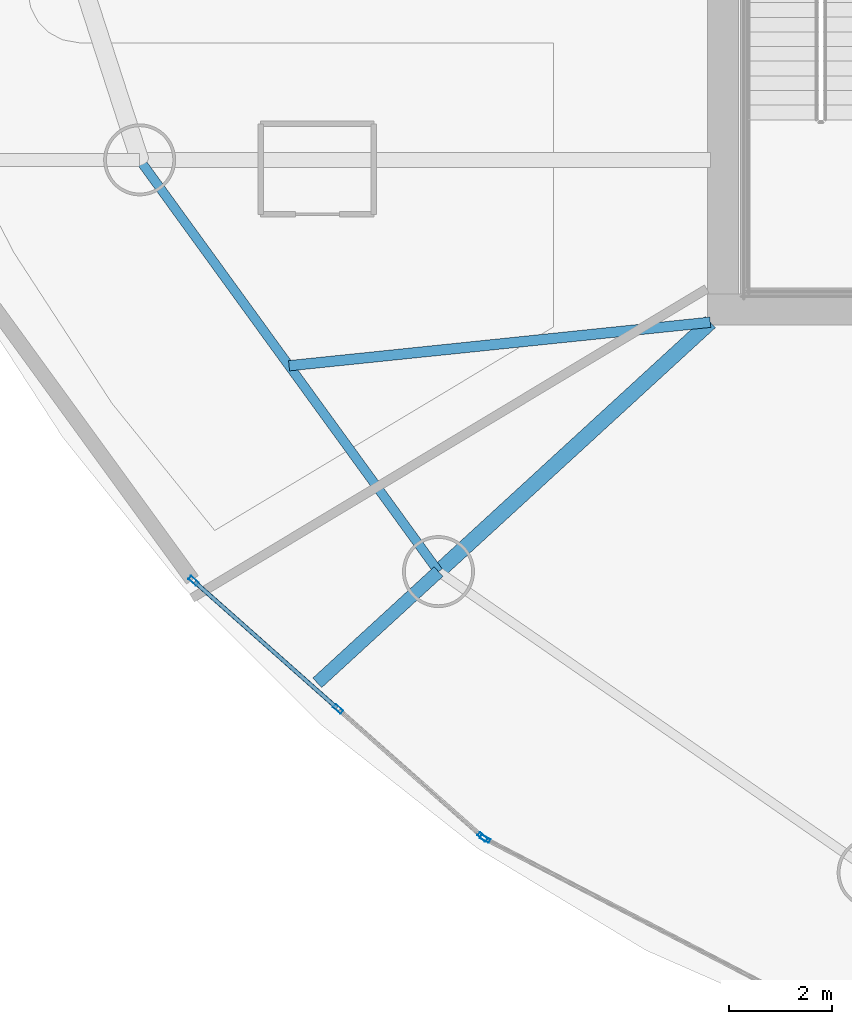
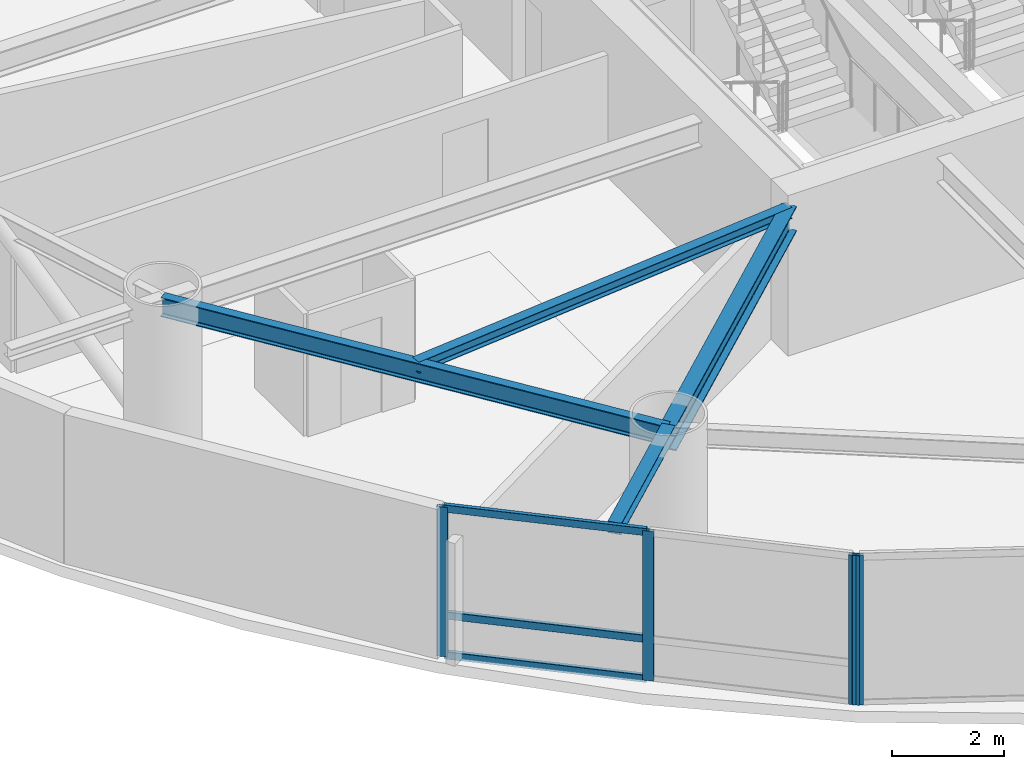
# One storey, part 2 of 20: 7 members, 4 beams, 2 elements without a shape of their own.
"""IFC4 building model written with IfcOpenShell, lengths in metres."""

import ifcopenshell
import ifcopenshell.guid

model = None  # the IFC model being written
_history = None  # IfcOwnerHistory: only IFC2X3 demands one
_inside = {}  # id of a spatial element -> (the spatial element, [elements in it])
_under = {}  # id of a project, library or spatial element -> (it, [spatial elements below it])
_declared = {}  # id of a project -> (the project, [libraries it declares])
_typed = {}  # id of a type object -> (the type object, [elements of that type])
_made_of = {}  # id of a material, layer set ... -> (it, [elements and type objects made of it])


def new_model(schema):
    """Start an empty IFC model of exactly this schema.

    Asked for "IFC4X3", IfcOpenShell would pick the latest addendum, in which some entities
    have other attributes; the version numbers below select the first issue.
    IFC2X3 requires an IfcOwnerHistory on every rooted entity: one is made here for all.
    """
    global model, _history
    if schema == "IFC4X3":
        model = ifcopenshell.file(schema_version=(4, 3, 0, 0))
    else:
        model = ifcopenshell.file(schema=schema)
    _inside.clear()
    _under.clear()
    _declared.clear()
    _typed.clear()
    _made_of.clear()
    _history = None
    if model.schema == "IFC2X3":
        org = make("IfcOrganization", Name="unknown")
        user = make(
            "IfcPersonAndOrganization",
            ThePerson=make("IfcPerson", FamilyName="unknown"),
            TheOrganization=org,
        )
        app = make(
            "IfcApplication",
            ApplicationDeveloper=org,
            Version="unknown",
            ApplicationFullName="unknown",
            ApplicationIdentifier="unknown",
        )
        _history = make(
            "IfcOwnerHistory",
            OwningUser=user,
            OwningApplication=app,
            ChangeAction="ADDED",
            CreationDate=0,
        )
    return model


def make(cls, **values):
    """One entity of the class cls with the attributes given. An attribute that is None is left unset."""
    return model.create_entity(
        cls, **{name: value for name, value in values.items() if value is not None}
    )


def rooted(cls, **values):
    """An entity with a GlobalId (a new one), such as an element, a storey or a relation."""
    return make(cls, GlobalId=ifcopenshell.guid.new(), OwnerHistory=_history, **values)


def si_unit(unit_type, name, prefix=None):
    """IfcSIUnit, for example si_unit("LENGTHUNIT", "METRE", prefix="MILLI")."""
    return make("IfcSIUnit", UnitType=unit_type, Prefix=prefix, Name=name)


def assignment(units):
    """IfcUnitAssignment: the units of a project."""
    return None if units is None else make("IfcUnitAssignment", Units=units)


def point(xyz):
    """IfcCartesianPoint."""
    return None if xyz is None else make("IfcCartesianPoint", Coordinates=xyz)


def direction(xyz):
    """IfcDirection."""
    return None if xyz is None else make("IfcDirection", DirectionRatios=xyz)


def frame(location, z_axis=None, x_axis=None):
    """IfcAxis2Placement3D, a coordinate frame: its origin and axes. An axis left out is left unset."""
    return make(
        "IfcAxis2Placement3D",
        Location=point(location),
        Axis=direction(z_axis),
        RefDirection=direction(x_axis),
    )


def frame_2d(location, x_axis=None):
    """IfcAxis2Placement2D, a coordinate frame in the plane: its origin and x axis."""
    return make(
        "IfcAxis2Placement2D", Location=point(location), RefDirection=direction(x_axis)
    )


def origin():
    """The frame at (0, 0, 0) with its axes left unset."""
    return frame((0.0, 0.0, 0.0))


def origin_2d():
    """The frame at (0, 0) in the plane with its x axis left unset."""
    return frame_2d((0.0, 0.0))


def place(relative_to, where):
    """IfcLocalPlacement: puts the frame where relative to a parent placement (None: the world)."""
    return make(
        "IfcLocalPlacement", PlacementRelTo=relative_to, RelativePlacement=where
    )


def context(
    kind, dimensions, precision=None, world=None, true_north=None, identifier=None
):
    """IfcGeometricRepresentationContext, for example the 3D "Model" context."""
    return make(
        "IfcGeometricRepresentationContext",
        ContextIdentifier=identifier,
        ContextType=kind,
        CoordinateSpaceDimension=dimensions,
        Precision=precision,
        WorldCoordinateSystem=world,
        TrueNorth=true_north,
    )


def subcontext(parent, identifier, kind, view, scale=None):
    """IfcGeometricRepresentationSubContext, for example "Body" below "Model"."""
    return make(
        "IfcGeometricRepresentationSubContext",
        ContextIdentifier=identifier,
        ContextType=kind,
        ParentContext=parent,
        TargetScale=scale,
        TargetView=view,
    )


def project(units=None, contexts=None):
    """IfcProject with its units and contexts."""
    return rooted(
        "IfcProject",
        Name="project",
        RepresentationContexts=contexts,
        UnitsInContext=assignment(units),
    )


def spatial(cls, under=None, at=None, **own):
    """A site, building, storey or space (cls), placed at a placement, below another one or the project."""
    s = rooted(cls, ObjectPlacement=at, **own)
    if under is not None:
        _under.setdefault(under.id(), (under, []))[1].append(s)
    return s


def profile(cls, at=None, kind="AREA", **sizes):
    """A parametric profile (cls). Its sizes go by their IFC names, for example OverallWidth=200.0."""
    return make(cls, ProfileType=kind, Position=at, **sizes)


def hollow_rectangle(**sizes):
    """IfcRectangleHollowProfileDef."""
    return profile("IfcRectangleHollowProfileDef", **sizes)


def i_section(**sizes):
    """IfcIShapeProfileDef."""
    return profile("IfcIShapeProfileDef", **sizes)


def extrude(swept, where, along, depth):
    """IfcExtrudedAreaSolid: the profile swept, set in the frame where, extruded along a direction by depth."""
    return make(
        "IfcExtrudedAreaSolid",
        SweptArea=swept,
        Position=where,
        ExtrudedDirection=direction(along),
        Depth=depth,
    )


def shape(context_of_items, identifier, shape_type, items):
    """IfcShapeRepresentation: the items that make up one representation, for example the "Body"."""
    return make(
        "IfcShapeRepresentation",
        ContextOfItems=context_of_items,
        RepresentationIdentifier=identifier,
        RepresentationType=shape_type,
        Items=items,
    )


def material(Name=None, Category=None):
    """IfcMaterial."""
    return make("IfcMaterial", Name=Name, Category=Category)


def layer(
    of_material, thickness, ventilated=None, Name=None, Category=None, Priority=None
):
    """IfcMaterialLayer: one layer of a wall or slab, of a material (None: an air gap)."""
    return make(
        "IfcMaterialLayer",
        Material=of_material,
        LayerThickness=thickness,
        IsVentilated=ventilated,
        Name=Name,
        Category=Category,
        Priority=Priority,
    )


def layer_set(layers, Name=None):
    """IfcMaterialLayerSet."""
    return make("IfcMaterialLayerSet", MaterialLayers=layers, LayerSetName=Name)


def material_profile(
    of_material, cross_section, Name=None, Category=None, Priority=None
):
    """IfcMaterialProfile: a cross section and its material."""
    return make(
        "IfcMaterialProfile",
        Name=Name,
        Material=of_material,
        Profile=cross_section,
        Priority=Priority,
        Category=Category,
    )


def profile_set(profiles, Name=None, composite=None):
    """IfcMaterialProfileSet."""
    return make(
        "IfcMaterialProfileSet",
        Name=Name,
        MaterialProfiles=profiles,
        CompositeProfile=composite,
    )


def made_of(thing, what):
    """Note that an element or type object is made of a material, layer set ...; save() writes the relation."""
    if what is not None:
        _made_of.setdefault(what.id(), (what, []))[1].append(thing)
    return thing


def type_object(cls, material=None, **own):
    """A type object (cls), such as IfcWallType, which elements share."""
    return made_of(rooted(cls, **own), material)


def element(
    cls,
    number,
    at=None,
    inside=None,
    cuts=None,
    type_object=None,
    material=None,
    context=None,
    identifier="Body",
    shape_type=None,
    held_by="IfcProductDefinitionShape",
    body=None,
    shapes=None,
    **own,
):
    """One element of the class cls, such as IfcWall. Its Tag is "e" and its number.

    at: its placement. inside: the storey or other place that contains it. cuts: it is an
    opening in that element (IfcRelVoidsElement). A single representation is given by context,
    identifier, shape_type and body (its items); several are given by shapes. held_by: the class
    of the entity that holds the representations. save() writes the other relations.
    """
    e = rooted(cls, Tag="e%d" % number, ObjectPlacement=at, **own)
    if body is not None:
        shapes = [shape(context, identifier, shape_type, body)]
    if shapes is not None:
        e.Representation = make(held_by, Representations=shapes)
    if inside is not None:
        _inside.setdefault(inside.id(), (inside, []))[1].append(e)
    if cuts is not None:
        rooted(
            "IfcRelVoidsElement", RelatingBuildingElement=cuts, RelatedOpeningElement=e
        )
    if type_object is not None:
        _typed.setdefault(type_object.id(), (type_object, []))[1].append(e)
    return made_of(e, material)


def aggregate(whole, parts):
    """IfcRelAggregates: a whole, such as a stair, and the parts it consists of."""
    return rooted("IfcRelAggregates", RelatingObject=whole, RelatedObjects=parts)


def save(model, path):
    """Write the relations noted so far, then the file.

    IfcRelAggregates (storeys below a building ...), IfcRelContainedInSpatialStructure (elements
    in a storey), IfcRelDefinesByType, IfcRelAssociatesMaterial and IfcRelDeclares: one each for
    every whole, place, type object, material and project.
    """
    for whole, parts in _under.values():
        aggregate(whole, parts)
    for where, things in _inside.values():
        rooted(
            "IfcRelContainedInSpatialStructure",
            RelatedElements=things,
            RelatingStructure=where,
        )
    for kind, things in _typed.values():
        rooted("IfcRelDefinesByType", RelatedObjects=things, RelatingType=kind)
    for what, things in _made_of.values():
        rooted("IfcRelAssociatesMaterial", RelatedObjects=things, RelatingMaterial=what)
    for by, libraries in _declared.values():
        rooted("IfcRelDeclares", RelatingContext=by, RelatedDefinitions=libraries)
    model.write(path)


model = new_model("IFC4")

# Units and contexts
model_context = context("Model", 3, precision=1e-05, world=origin(), true_north=direction((0.0, 1.0)))
body_context = subcontext(model_context, "Body", "Model", "MODEL_VIEW")
ifc_project = project(units=[si_unit("LENGTHUNIT", "METRE"), si_unit("AREAUNIT", "SQUARE_METRE"), si_unit("VOLUMEUNIT", "CUBIC_METRE"), si_unit("PLANEANGLEUNIT", "RADIAN"), si_unit("MASSUNIT", "GRAM", prefix="KILO")], contexts=[model_context])

# Site, building, storey
site_placement = place(None, origin())
site = spatial("IfcSite", under=ifc_project, at=site_placement, CompositionType="ELEMENT")
building_placement = place(site_placement, origin())
building = spatial("IfcBuilding", under=site, at=building_placement, Name="Bramvorn Convention Spire", CompositionType="ELEMENT")
storey_placement = place(building_placement, frame((0.0, 0.0, 113.300048828125)))
storey = spatial("IfcBuildingStorey", under=building, at=storey_placement, Name="L27", CompositionType="ELEMENT", Elevation=113.300048828125)

# Beams
ifc_material_1 = material(Name="Steel CSA G40.21 Grade 350 (350W)", Category="steel")
ifc_material_profile_1 = material_profile(ifc_material_1, i_section(OverallWidth=0.201904296875, OverallDepth=0.2470703125, WebThickness=0.00732421875, FlangeThickness=0.010986328125, FilletRadius=0.011962890625, at=origin_2d()))
ifc_profile_set_1 = profile_set([ifc_material_profile_1], Name="Steel CSA G40.21 Grade 350 (350W) - W250X49")
beam_type_1 = type_object("IfcBeamType", Name="BM-W250X49", PredefinedType="JOIST", material=ifc_profile_set_1)
beam_1_placement = place(storey_placement, frame((26.75, 18.550048828125, 3.136474609375), z_axis=(-0.994705076194, -0.102770673804, 0.0), x_axis=(0.102770673804, -0.994705076194, 0.0)))
element("IfcBeam", 1, at=beam_1_placement, inside=storey, type_object=beam_type_1, Name="L27 composite floor joist 11", PredefinedType="JOIST", context=body_context, shape_type="SweptSolid", body=[
    extrude(i_section(OverallWidth=0.201904296875, OverallDepth=0.2470703125, WebThickness=0.00732421875, FlangeThickness=0.010986328125, FilletRadius=0.011962890625, at=origin_2d()), origin(), (0.0, 0.0, 1.0), 8.23388671875),
])
ifc_material_profile_2 = material_profile(ifc_material_1, i_section(OverallWidth=0.25390625, OverallDepth=0.2529296875, WebThickness=0.008544921875, FlangeThickness=0.01416015625, FilletRadius=0.011962890625, at=origin_2d()))
ifc_profile_set_2 = profile_set([ifc_material_profile_2], Name="Steel CSA G40.21 Grade 350 (350W) - W250X73")
beam_type_2 = type_object("IfcBeamType", Name="BM-W250X73", PredefinedType="BEAM", material=ifc_profile_set_2)
beam_2_placement = place(storey_placement, frame((21.465087890625, 13.700927734375, 3.133544921875), z_axis=(-0.736821501531, -0.676087327852, 0.0), x_axis=(0.676087327852, -0.736821501531, 0.0)))
element("IfcBeam", 2, at=beam_2_placement, inside=storey, type_object=beam_type_2, Name="L27 slab-edge cantilever tip beam MC12", PredefinedType="BEAM", context=body_context, shape_type="SweptSolid", body=[
    extrude(i_section(OverallWidth=0.25390625, OverallDepth=0.2529296875, WebThickness=0.008544921875, FlangeThickness=0.01416015625, FilletRadius=0.011962890625, at=origin_2d()), origin(), (0.0, 0.0, 1.0), 3.19970703125),
])
ifc_material_profile_3 = material_profile(ifc_material_1, i_section(OverallWidth=0.180908203125, OverallDepth=0.4169921875, WebThickness=0.010986328125, FlangeThickness=0.018310546875, FilletRadius=0.01611328125, at=origin_2d()))
ifc_profile_set_3 = profile_set([ifc_material_profile_3], Name="Steel CSA G40.21 Grade 350 (350W) - W410X85")
beam_type_3 = type_object("IfcBeamType", Name="BM-W410X85", PredefinedType="JOIST", material=ifc_profile_set_3)
beam_3_placement = place(storey_placement, frame((15.654296875, 21.706787109375, 3.051513671875), z_axis=(0.587401024629, -0.809296012757, 0.0), x_axis=(0.809296012757, 0.587401024629, 0.0)))
element("IfcBeam", 3, at=beam_3_placement, inside=storey, type_object=beam_type_3, Name="L27 mega-column ring beam 11", PredefinedType="JOIST", context=body_context, shape_type="SweptSolid", body=[
    extrude(i_section(OverallWidth=0.180908203125, OverallDepth=0.4169921875, WebThickness=0.010986328125, FlangeThickness=0.018310546875, FilletRadius=0.01611328125, at=origin_2d()), origin(), (0.0, 0.0, 1.0), 9.892333984375),
])
ifc_material_profile_4 = material_profile(ifc_material_1, i_section(OverallWidth=0.2919921875, OverallDepth=0.551025390625, WebThickness=0.01513671875, FlangeThickness=0.0244140625, FilletRadius=0.01904296875, at=origin_2d()))
ifc_profile_set_4 = profile_set([ifc_material_profile_4], Name="Steel CSA G40.21 Grade 350 (350W) - W530X182")
beam_type_4 = type_object("IfcBeamType", Name="BM-W530X182", PredefinedType="BEAM", material=ifc_profile_set_4)
beam_4_placement = place(storey_placement, frame((26.75, 18.550048828125, 2.984375), z_axis=(-0.736833323746, -0.676074443399, 0.0), x_axis=(0.676074443399, -0.736833323746, 0.0)))
element("IfcBeam", 4, at=beam_4_placement, inside=storey, type_object=beam_type_4, Name="L27 radial floor girder MC12", PredefinedType="BEAM", context=body_context, shape_type="SweptSolid", body=[
    extrude(i_section(OverallWidth=0.2919921875, OverallDepth=0.551025390625, WebThickness=0.01513671875, FlangeThickness=0.0244140625, FilletRadius=0.01904296875, at=origin_2d()), origin(), (0.0, 0.0, 1.0), 7.17236328125),
])

# Curtain wall, members
ifc_material_2 = material(Name="Anodised Bronze Unitised Curtain Wall", Category="aluminium")
ifc_layer = layer(ifc_material_2, 0.179931640625)
ifc_layer_set = layer_set([ifc_layer], Name="Anodised Bronze Unitised Curtain Wall - CW-HTL-FRIT")
curtain_wall_type = type_object("IfcCurtainWallType", Name="CW-HTL-FRIT", PredefinedType="USERDEFINED", material=ifc_layer_set)
curtain_wall_1_placement = place(storey_placement, origin())
curtain_wall_1 = element("IfcCurtainWall", 5, at=curtain_wall_1_placement, inside=storey, type_object=curtain_wall_type, Name="L27 fritted glass curtain wall 17", ObjectType="UNITISED CURTAIN WALL", PredefinedType="USERDEFINED")
ifc_material_3 = material(Name="Anodised Bronze Aluminium 6063-T6", Category="aluminium")
ifc_material_profile_5 = material_profile(ifc_material_3, hollow_rectangle(XDim=0.080078125, YDim=0.199951171875, WallThickness=0.00390625, InnerFilletRadius=0.0009765625, OuterFilletRadius=0.00390625, at=origin_2d()))
ifc_profile_set_5 = profile_set([ifc_material_profile_5], Name="Anodised Bronze Aluminium 6063-T6 - CWM80X200")
member_type_1 = type_object("IfcMemberType", Name="CW-MUL-180", PredefinedType="MULLION", material=ifc_profile_set_5)
member_1_placement = place(storey_placement, frame((22.321533203125, 8.540283203125, 0.0), z_axis=(0.0, 0.0, 1.0), x_axis=(-0.663270856054, -0.748379430175, 0.0)))
member_1 = element("IfcMember", 6, at=member_1_placement, type_object=member_type_1, Name="CW2 mullion 1", PredefinedType="MULLION", context=body_context, shape_type="SweptSolid", body=[
    extrude(hollow_rectangle(XDim=0.080078125, YDim=0.199951171875, WallThickness=0.00390625, InnerFilletRadius=0.0009765625, OuterFilletRadius=0.00390625, at=origin_2d()), origin(), (0.0, 0.0, 1.0), 3.260009765625),
])
member_2_placement = place(storey_placement, frame((19.51171875, 11.030517578125, 0.0), z_axis=(0.0, 0.0, 1.0), x_axis=(-0.663270856054, -0.748379430175, 0.0)))
member_2 = element("IfcMember", 7, at=member_2_placement, type_object=member_type_1, Name="CW2 mullion 2", PredefinedType="MULLION", context=body_context, shape_type="SweptSolid", body=[
    extrude(hollow_rectangle(XDim=0.080078125, YDim=0.199951171875, WallThickness=0.00390625, InnerFilletRadius=0.0009765625, OuterFilletRadius=0.00390625, at=origin_2d()), origin(), (0.0, 0.0, 1.0), 3.260009765625),
])
member_3_placement = place(storey_placement, frame((16.701904296875, 13.52099609375, 0.0), z_axis=(0.0, 0.0, 1.0), x_axis=(-0.663270856054, -0.748379430175, 0.0)))
member_3 = element("IfcMember", 8, at=member_3_placement, type_object=member_type_1, Name="CW2 mullion 3", PredefinedType="MULLION", context=body_context, shape_type="SweptSolid", body=[
    extrude(hollow_rectangle(XDim=0.080078125, YDim=0.199951171875, WallThickness=0.00390625, InnerFilletRadius=0.0009765625, OuterFilletRadius=0.00390625, at=origin_2d()), origin(), (0.0, 0.0, 1.0), 3.260009765625),
])

# Curtain wall, member
curtain_wall_2_placement = place(storey_placement, origin())
curtain_wall_2 = element("IfcCurtainWall", 9, at=curtain_wall_2_placement, inside=storey, type_object=curtain_wall_type, Name="L27 fritted glass curtain wall 18", ObjectType="UNITISED CURTAIN WALL", PredefinedType="USERDEFINED")
member_4_placement = place(storey_placement, frame((22.37060546875, 8.506591796875, 0.0), z_axis=(0.0, 0.0, 1.0), x_axis=(-0.460939346301, -0.887431641892, 0.0)))
member_4 = element("IfcMember", 10, at=member_4_placement, type_object=member_type_1, Name="CW2 mullion 2", PredefinedType="MULLION", context=body_context, shape_type="SweptSolid", body=[
    extrude(hollow_rectangle(XDim=0.080078125, YDim=0.199951171875, WallThickness=0.00390625, InnerFilletRadius=0.0009765625, OuterFilletRadius=0.00390625, at=origin_2d()), origin(), (0.0, 0.0, 1.0), 3.260009765625),
])
aggregate(curtain_wall_2, [member_4])

# Member
ifc_material_profile_6 = material_profile(ifc_material_3, hollow_rectangle(XDim=0.080078125, YDim=0.159912109375, WallThickness=0.00390625, InnerFilletRadius=0.0009765625, OuterFilletRadius=0.00390625, at=origin_2d()))
ifc_profile_set_6 = profile_set([ifc_material_profile_6], Name="Anodised Bronze Aluminium 6063-T6 - CWT80X160")
member_type_2 = type_object("IfcMemberType", Name="CW-TRN-150", PredefinedType="USERDEFINED", material=ifc_profile_set_6)
member_5_placement = place(storey_placement, frame((19.4892578125, 11.050537109375, 0.030029296875), z_axis=(-0.748381976901, 0.66326798253, 0.0), x_axis=(-0.66326798253, -0.748381976901, 0.0)))
member_5 = element("IfcMember", 11, at=member_5_placement, type_object=member_type_2, Name="CW2 transom 2.1", ObjectType="TRANSOM", PredefinedType="USERDEFINED", context=body_context, shape_type="SweptSolid", body=[
    extrude(hollow_rectangle(XDim=0.080078125, YDim=0.159912109375, WallThickness=0.00390625, InnerFilletRadius=0.0009765625, OuterFilletRadius=0.00390625, at=origin_2d()), origin(), (0.0, 0.0, 1.0), 3.694580078125),
])

member_6_placement = place(storey_placement, frame((19.4892578125, 11.050537109375, 0.89990234375), z_axis=(-0.748381976901, 0.66326798253, 0.0), x_axis=(-0.66326798253, -0.748381976901, 0.0)))
member_6 = element("IfcMember", 12, at=member_6_placement, type_object=member_type_2, Name="CW2 transom 2.2", ObjectType="TRANSOM", PredefinedType="USERDEFINED", context=body_context, shape_type="SweptSolid", body=[
    extrude(hollow_rectangle(XDim=0.080078125, YDim=0.159912109375, WallThickness=0.00390625, InnerFilletRadius=0.0009765625, OuterFilletRadius=0.00390625, at=origin_2d()), origin(), (0.0, 0.0, 1.0), 3.694580078125),
])

member_7_placement = place(storey_placement, frame((19.4892578125, 11.050537109375, 3.22998046875), z_axis=(-0.748381976901, 0.66326798253, 0.0), x_axis=(-0.66326798253, -0.748381976901, 0.0)))
member_7 = element("IfcMember", 13, at=member_7_placement, type_object=member_type_2, Name="CW2 transom 2.3", ObjectType="TRANSOM", PredefinedType="USERDEFINED", context=body_context, shape_type="SweptSolid", body=[
    extrude(hollow_rectangle(XDim=0.080078125, YDim=0.159912109375, WallThickness=0.00390625, InnerFilletRadius=0.0009765625, OuterFilletRadius=0.00390625, at=origin_2d()), origin(), (0.0, 0.0, 1.0), 3.694580078125),
])

aggregate(curtain_wall_1, [member_1, member_2, member_3, member_5, member_6, member_7])

save(model, "model.ifc")
